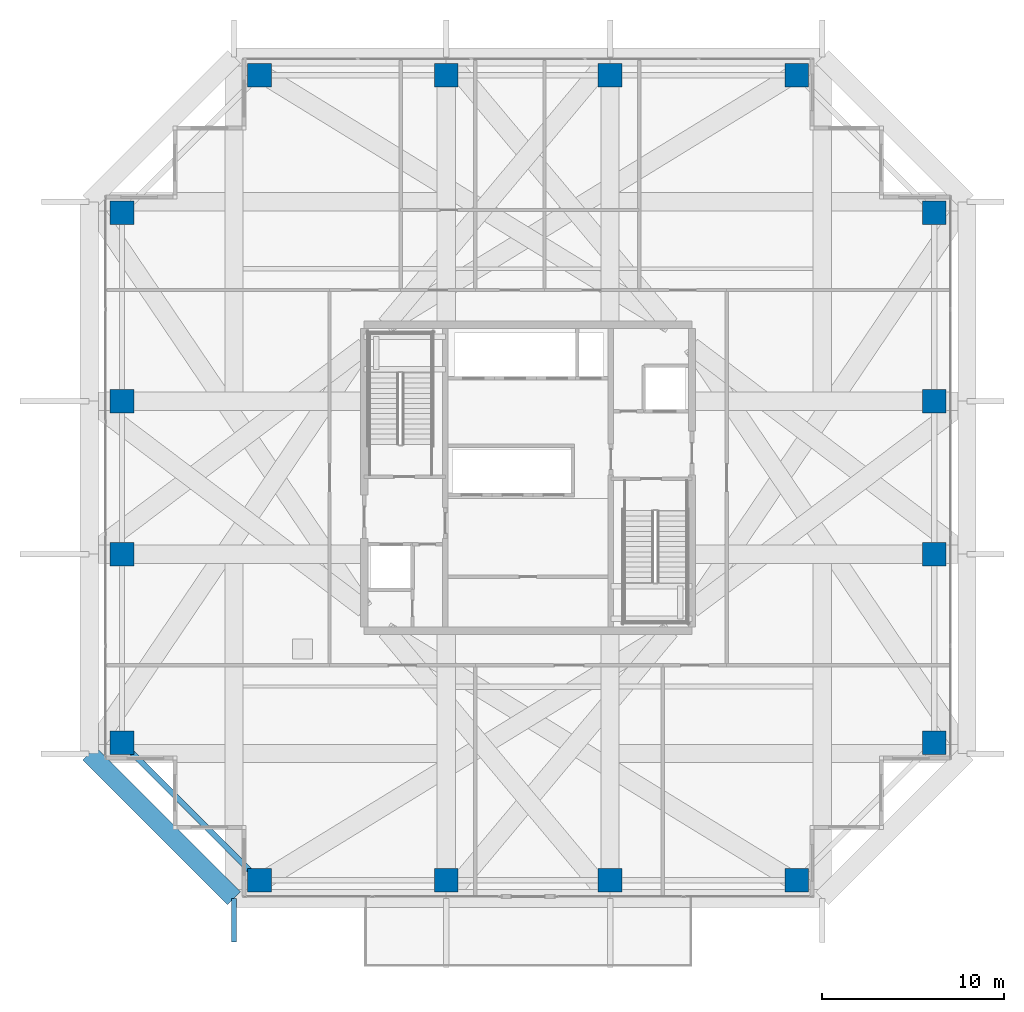
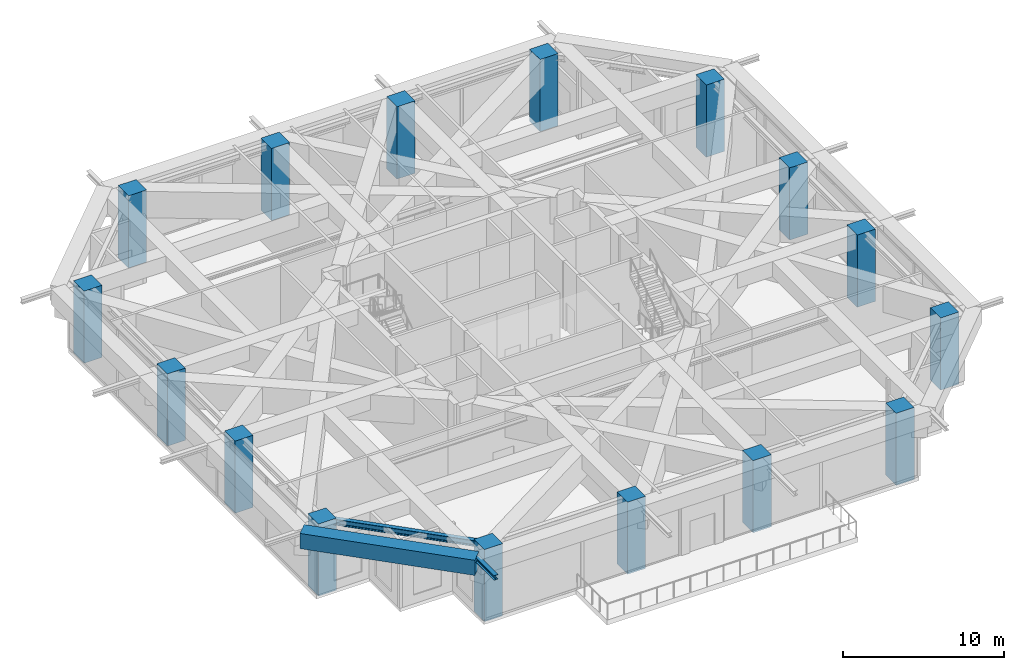
# One storey, part 1 of 38: 16 columns, 3 beams.
"""IFC4 building model written with IfcOpenShell, lengths in metres."""

from ifc_helpers import new_model, si_unit, direction, frame, origin, origin_2d, place, context, subcontext, project, spatial, rectangle, i_section, extrude, source, transform, mapped, material, material_profile, profile_set, type_object, element, save


model = new_model("IFC4")

# Units and contexts
model_context = context("Model", 3, precision=1e-05, world=origin(), true_north=direction((0.0, 1.0)))
body_context = subcontext(model_context, "Body", "Model", "MODEL_VIEW")
ifc_project = project(units=[si_unit("LENGTHUNIT", "METRE"), si_unit("AREAUNIT", "SQUARE_METRE"), si_unit("VOLUMEUNIT", "CUBIC_METRE"), si_unit("PLANEANGLEUNIT", "RADIAN"), si_unit("MASSUNIT", "GRAM", prefix="KILO")], contexts=[model_context])

# Site, building, storey
site_placement = place(None, origin())
site = spatial("IfcSite", under=ifc_project, at=site_placement, CompositionType="ELEMENT")
building_placement = place(site_placement, origin())
building = spatial("IfcBuilding", under=site, at=building_placement, Name="Serunith Strait Residences", CompositionType="ELEMENT")
storey_placement = place(building_placement, frame((0.0, 0.0, 204.89990234375)))
storey = spatial("IfcBuildingStorey", under=building, at=storey_placement, Name="L51", CompositionType="ELEMENT", Elevation=204.89990234375)

# Columns
ifc_material_1 = material(Name="Concrete C80/95", Category="concrete")
ifc_material_profile_1 = material_profile(ifc_material_1, rectangle(XDim=1.300048828125, YDim=1.300048828125, at=origin_2d()), Name="RC 1300x1300")
ifc_profile_set_1 = profile_set([ifc_material_profile_1], Name="Concrete C80/95")
column_type = type_object("IfcColumnType", Name="COL-RC-1300", PredefinedType="COLUMN", material=ifc_profile_set_1)
shared_shape_1 = source(origin(), body_context, "Body", "SweptSolid", [
    extrude(rectangle(XDim=1.300048828125, YDim=1.300048828125, at=origin_2d()), origin(), (0.0, 0.0, 1.0), 5.469970703125),
])
for number, where, z_axis, x_axis, name in (
    (1, (17.64990234375, 3.10009765625, -0.35986328125), (0.0, 0.0, 1.0), (1.0, 0.0, 0.0), "L51 Tower Mega-Column TC-S1"),
    (2, (27.89990234375, 3.10009765625, -0.35986328125), (0.0, 0.0, 1.0), (1.0, 0.0, 0.0), "L51 Tower Mega-Column TC-S2"),
    (3, (36.89990234375, 3.10009765625, -0.35986328125), (0.0, 0.0, 1.0), (1.0, 0.0, 0.0), "L51 Tower Mega-Column TC-S3"),
    (4, (47.14990234375, 3.10009765625, -0.35986328125), (0.0, 0.0, 1.0), (1.0, 0.0, 0.0), "L51 Tower Mega-Column TC-S4"),
    (5, (17.64990234375, 47.300048828125, -0.35986328125), (0.0, 0.0, 1.0), (1.0, 0.0, 0.0), "L51 Tower Mega-Column TC-N1"),
    (6, (27.89990234375, 47.300048828125, -0.35986328125), (0.0, 0.0, 1.0), (1.0, 0.0, 0.0), "L51 Tower Mega-Column TC-N2"),
    (7, (36.89990234375, 47.300048828125, -0.35986328125), (0.0, 0.0, 1.0), (1.0, 0.0, 0.0), "L51 Tower Mega-Column TC-N3"),
    (8, (47.14990234375, 47.300048828125, -0.35986328125), (0.0, 0.0, 1.0), (1.0, 0.0, 0.0), "L51 Tower Mega-Column TC-N4"),
    (9, (54.699951171875, 10.64990234375, -0.35986328125), (0.0, 0.0, 1.0), (1.0, 0.0, 0.0), "L51 Tower Mega-Column TC-E1"),
    (10, (54.699951171875, 21.0, -0.35986328125), (0.0, 0.0, 1.0), (1.0, 0.0, 0.0), "L51 Tower Mega-Column TC-E2"),
    (11, (54.699951171875, 29.39990234375, -0.35986328125), (0.0, 0.0, 1.0), (1.0, 0.0, 0.0), "L51 Tower Mega-Column TC-E3"),
    (12, (54.699951171875, 39.75, -0.35986328125), (0.0, 0.0, 1.0), (1.0, 0.0, 0.0), "L51 Tower Mega-Column TC-E4"),
    (13, (10.10009765625, 10.64990234375, -0.35986328125), (0.0, 0.0, 1.0), (1.0, 0.0, 0.0), "L51 Tower Mega-Column TC-W1"),
    (14, (10.10009765625, 21.0, -0.35986328125), (0.0, 0.0, 1.0), (1.0, 0.0, 0.0), "L51 Tower Mega-Column TC-W2"),
    (15, (10.10009765625, 29.39990234375, -0.35986328125), (0.0, 0.0, 1.0), (1.0, 0.0, 0.0), "L51 Tower Mega-Column TC-W3"),
    (16, (10.10009765625, 39.75, -0.35986328125), (0.0, 0.0, 1.0), (1.0, 0.0, 0.0), "L51 Tower Mega-Column TC-W4"),
):
    element("IfcColumn", number, at=place(storey_placement, frame(where, z_axis=z_axis, x_axis=x_axis)), inside=storey, type_object=column_type, Name=name, PredefinedType="COLUMN", context=body_context, shape_type="MappedRepresentation", body=[
        mapped(shared_shape_1, transform((0.0, 0.0, 0.0), scale=1.0)),
    ])

# Beams
ifc_material_profile_2 = material_profile(ifc_material_1, rectangle(XDim=1.0, YDim=1.14990234375, at=origin_2d()), Name="RC 1000x1150")
ifc_profile_set_2 = profile_set([ifc_material_profile_2], Name="Concrete C80/95")
beam_type_1 = type_object("IfcBeamType", Name="BM-XFER-1000x1150", PredefinedType="BEAM", material=ifc_profile_set_2)
shared_shape_2 = source(origin(), body_context, "Body", "SweptSolid", [
    extrude(rectangle(XDim=1.0, YDim=1.14990234375, at=origin_2d()), origin(), (0.0, 0.0, 1.0), 11.242919921875),
])
beam_1_placement = place(storey_placement, frame((8.300048828125, 10.050048828125, 4.53515625), z_axis=(0.707106781187, -0.707106781187, 0.0), x_axis=(0.707106781187, 0.707106781187, 0.0)))
element("IfcBeam", 17, at=beam_1_placement, inside=storey, type_object=beam_type_1, Name="L51 Flare Upper Ring Transfer Girder 16", PredefinedType="BEAM", context=body_context, shape_type="MappedRepresentation", body=[
    mapped(shared_shape_2, transform((0.0, 0.0, 0.0), scale=1.0)),
])
ifc_material_2 = material(Name="Steel S355J2", Category="steel")
ifc_material_profile_3 = material_profile(ifc_material_2, i_section(OverallWidth=0.300048828125, OverallDepth=0.449951171875, WebThickness=0.013916015625, FlangeThickness=0.02587890625, FilletRadius=0.027099609375, at=origin_2d()), Name="HEB 450")
ifc_profile_set_3 = profile_set([ifc_material_profile_3], Name="Steel S355J2")
beam_type_2 = type_object("IfcBeamType", Name="BM-HEB450", PredefinedType="BEAM", material=ifc_profile_set_3)
shared_shape_3 = source(origin(), body_context, "Body", "SweptSolid", [
    extrude(i_section(OverallWidth=0.300048828125, OverallDepth=0.449951171875, WebThickness=0.013916015625, FlangeThickness=0.02587890625, FilletRadius=0.027099609375, at=origin_2d()), origin(), (0.0, 0.0, 1.0), 10.677001953125),
])
beam_2_placement = place(storey_placement, frame((10.10009765625, 10.64990234375, 4.882080078125), z_axis=(0.707106781187, -0.707106781187, 0.0), x_axis=(0.707106781187, 0.707106781187, 0.0)))
element("IfcBeam", 18, at=beam_2_placement, inside=storey, type_object=beam_type_2, Name="L51 Perimeter Ring Beam 16", PredefinedType="BEAM", context=body_context, shape_type="MappedRepresentation", body=[
    mapped(shared_shape_3, transform((0.0, 0.0, 0.0), scale=1.0)),
])
ifc_material_profile_4 = material_profile(ifc_material_2, i_section(OverallWidth=0.300048828125, OverallDepth=0.360107421875, WebThickness=0.012451171875, FlangeThickness=0.0224609375, FilletRadius=0.027099609375, at=origin_2d()), Name="HEB 360")
ifc_profile_set_4 = profile_set([ifc_material_profile_4], Name="Steel S355J2")
beam_type_3 = type_object("IfcBeamType", Name="BM-HEB360", PredefinedType="BEAM", material=ifc_profile_set_4)
shared_shape_4 = source(origin(), body_context, "Body", "SweptSolid", [
    extrude(i_section(OverallWidth=0.300048828125, OverallDepth=0.360107421875, WebThickness=0.012451171875, FlangeThickness=0.0224609375, FilletRadius=0.027099609375, at=origin_2d()), origin(), (0.0, 0.0, 1.0), 2.38427734375),
])
beam_3_placement = place(storey_placement, frame((16.25, 2.10009765625, 4.927001953125), z_axis=(0.0, -1.0, 0.0), x_axis=(1.0, 0.0, 0.0)))
element("IfcBeam", 19, at=beam_3_placement, inside=storey, type_object=beam_type_3, Name="L52 Cantilevered Balcony Rib TC-S1", PredefinedType="BEAM", context=body_context, shape_type="MappedRepresentation", body=[
    mapped(shared_shape_4, transform((0.0, 0.0, 0.0), scale=1.0)),
])

save(model, "model.ifc")
